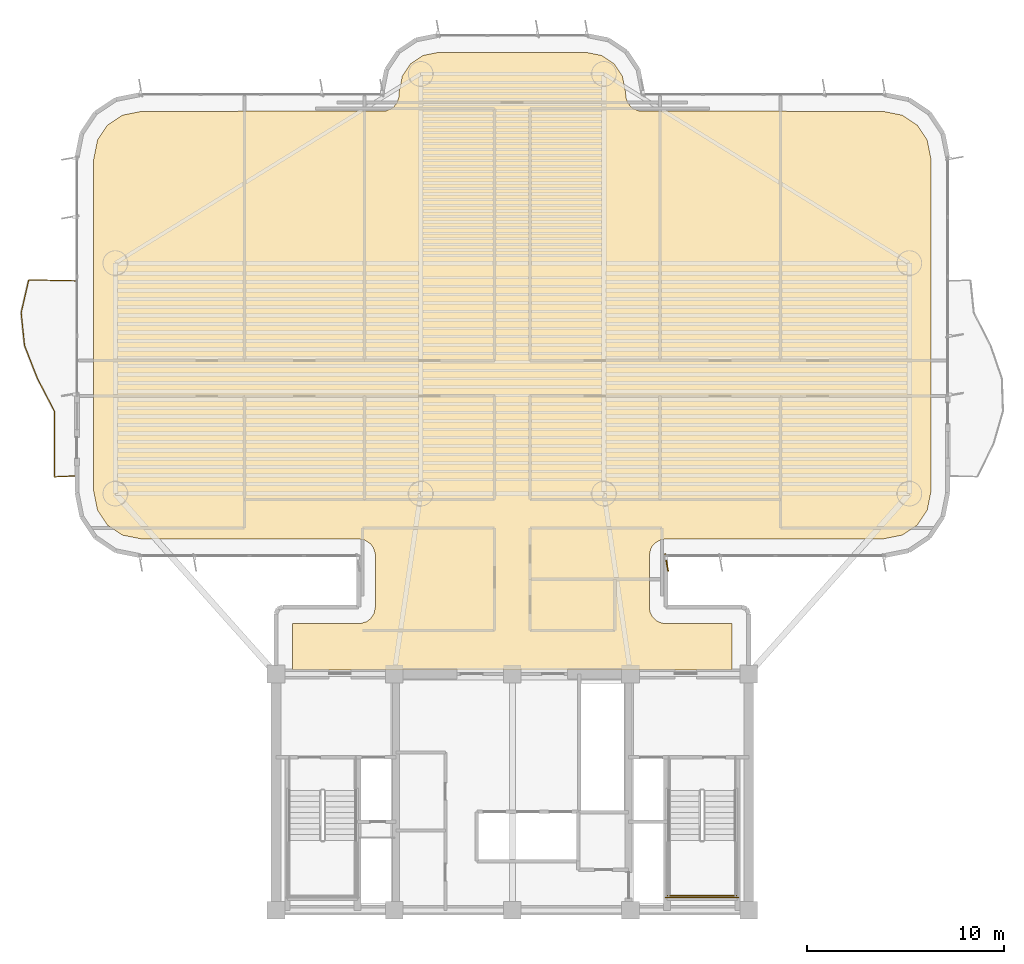
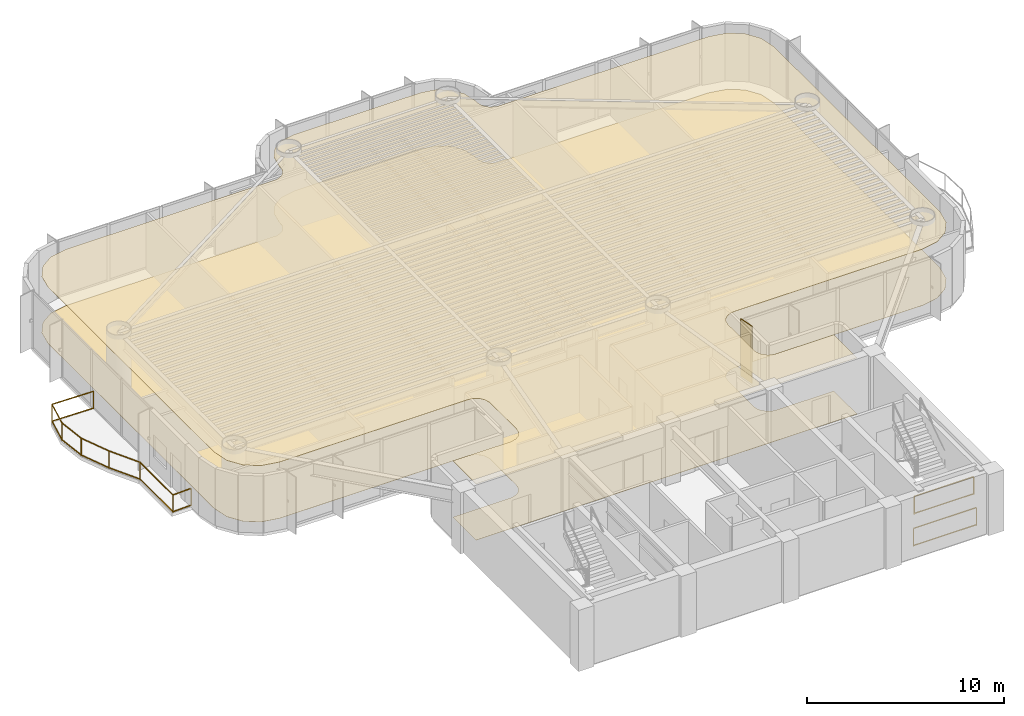
# One storey, part 14 of 16: 3 railings, 2 coverings, 1 shading device.
"""IFC4 building model written with IfcOpenShell, lengths in metres."""

from ifc_helpers import new_model, si_unit, direction, frame, origin, origin_2d, place, context, subcontext, project, spatial, polyline, rectangle, outline, extrude, source, transform, mapped, material, layer, layer_set, material_profile, profile_set, type_object, element, save


model = new_model("IFC4")

# Units and contexts
model_context = context("Model", 3, precision=1e-05, world=origin(), true_north=direction((0.0, 1.0)))
body_context = subcontext(model_context, "Body", "Model", "MODEL_VIEW")
ifc_project = project(units=[si_unit("LENGTHUNIT", "METRE"), si_unit("AREAUNIT", "SQUARE_METRE"), si_unit("VOLUMEUNIT", "CUBIC_METRE"), si_unit("PLANEANGLEUNIT", "RADIAN"), si_unit("MASSUNIT", "GRAM", prefix="KILO")], contexts=[model_context])

# Site, building, storey
site_placement = place(None, origin())
site = spatial("IfcSite", under=ifc_project, at=site_placement, CompositionType="ELEMENT")
building_placement = place(site_placement, origin())
building = spatial("IfcBuilding", under=site, at=building_placement, Name="Brelvock Crest Care Tower", CompositionType="ELEMENT")
storey_placement = place(building_placement, frame((0.0, 0.0, 112.5)))
storey = spatial("IfcBuildingStorey", under=building, at=storey_placement, Name="L28", CompositionType="ELEMENT", Elevation=112.5)

# Coverings
ifc_material_1 = material(Name="Mineral Fibre Acoustic Ceiling Tile", Category="gypsum")
ifc_layer_1 = layer(ifc_material_1, 0.02490234375, Name="COV-CLG1")
ifc_layer_set_1 = layer_set([ifc_layer_1], Name="Mineral Fibre Acoustic Ceiling Tile")
covering_type_1 = type_object("IfcCoveringType", Name="COV-CLG1", PredefinedType="CEILING", material=ifc_layer_set_1)
covering_1_placement = place(storey_placement, frame((0.0, 0.0, 3.47509765625)))
element("IfcCovering", 1, at=covering_1_placement, inside=storey, type_object=covering_type_1, Name="L28 Acoustic Suspended Ceiling 1", PredefinedType="CEILING", context=body_context, shape_type="SweptSolid", body=[
    extrude(outline(polyline([(24.85009765625, 18.199951171875), (47.14990234375, 18.199951171875), (47.14990234375, 20.550048828125), (43.716796875, 20.55419921875), (43.55322265625, 20.586669921875), (43.327880859375, 20.693359375), (43.09326171875, 20.927734375), (42.986572265625, 21.1533203125), (42.949951171875, 21.39990234375), (42.949951171875, 24.0), (43.0146484375, 24.3251953125), (43.09326171875, 24.47216796875), (43.2607421875, 24.656982421875), (43.55322265625, 24.8134765625), (43.800048828125, 24.85009765625), (54.81640625, 24.85009765625), (55.79296875, 25.044189453125), (56.5498046875, 25.550048828125), (57.0556640625, 26.30712890625), (57.25, 27.28369140625), (57.25, 44.1162109375), (57.0556640625, 45.093017578125), (56.5498046875, 45.849853515625), (55.79296875, 46.355712890625), (54.81640625, 46.550048828125), (42.43408203125, 46.56640625), (42.127685546875, 46.693359375), (41.9990234375, 46.799072265625), (41.850341796875, 46.999267578125), (41.766357421875, 47.234130859375), (41.75, 47.516357421875), (41.586181640625, 48.33984375), (41.1669921875, 48.967041015625), (40.539794921875, 49.38623046875), (39.71630859375, 49.550048828125), (32.28369140625, 49.550048828125), (31.460205078125, 49.38623046875), (30.8330078125, 48.967041015625), (30.413818359375, 48.33984375), (30.25, 47.516357421875), (30.233642578125, 47.234130859375), (30.149658203125, 46.999267578125), (30.0009765625, 46.799072265625), (29.872314453125, 46.693359375), (29.56591796875, 46.56640625), (17.18359375, 46.550048828125), (16.20703125, 46.355712890625), (15.4501953125, 45.849853515625), (14.9443359375, 45.093017578125), (14.75, 44.1162109375), (14.75, 27.28369140625), (14.9443359375, 26.30712890625), (15.4501953125, 25.550048828125), (16.20703125, 25.044189453125), (17.18359375, 24.85009765625), (28.199951171875, 24.85009765625), (28.525390625, 24.785400390625), (28.801025390625, 24.60107421875), (28.94970703125, 24.400634765625), (29.0458984375, 24.083251953125), (29.050048828125, 21.39990234375), (28.9853515625, 21.07470703125), (28.801025390625, 20.799072265625), (28.6005859375, 20.650390625), (28.283203125, 20.55419921875), (24.85009765625, 20.550048828125), (24.85009765625, 18.199951171875)])), origin(), (0.0, 0.0, 1.0), 0.02490234375),
])
ifc_material_2 = material(Name="Slip-Resistant Acoustic Vinyl Flooring", Category="finish")
ifc_layer_2 = layer(ifc_material_2, 0.014892578125, Name="COV-FLR1")
ifc_layer_set_2 = layer_set([ifc_layer_2], Name="Slip-Resistant Acoustic Vinyl Flooring")
covering_type_2 = type_object("IfcCoveringType", Name="COV-FLR1", PredefinedType="FLOORING", material=ifc_layer_set_2)
covering_2_placement = place(storey_placement, origin())
element("IfcCovering", 2, at=covering_2_placement, inside=storey, type_object=covering_type_2, Name="L28 Slip-Resistant Acoustic Flooring 1", PredefinedType="FLOORING", context=body_context, shape_type="SweptSolid", body=[
    extrude(outline(polyline([(24.85009765625, 18.199951171875), (47.14990234375, 18.199951171875), (47.14990234375, 20.550048828125), (43.716796875, 20.55419921875), (43.55322265625, 20.586669921875), (43.327880859375, 20.693359375), (43.09326171875, 20.927734375), (42.986572265625, 21.1533203125), (42.949951171875, 21.39990234375), (42.949951171875, 24.0), (43.0146484375, 24.3251953125), (43.09326171875, 24.47216796875), (43.2607421875, 24.656982421875), (43.55322265625, 24.8134765625), (43.800048828125, 24.85009765625), (54.81640625, 24.85009765625), (55.79296875, 25.044189453125), (56.5498046875, 25.550048828125), (57.0556640625, 26.30712890625), (57.25, 27.28369140625), (57.25, 44.1162109375), (57.0556640625, 45.093017578125), (56.5498046875, 45.849853515625), (55.79296875, 46.355712890625), (54.81640625, 46.550048828125), (42.43408203125, 46.56640625), (42.127685546875, 46.693359375), (41.9990234375, 46.799072265625), (41.850341796875, 46.999267578125), (41.766357421875, 47.234130859375), (41.75, 47.516357421875), (41.586181640625, 48.33984375), (41.1669921875, 48.967041015625), (40.539794921875, 49.38623046875), (39.71630859375, 49.550048828125), (32.28369140625, 49.550048828125), (31.460205078125, 49.38623046875), (30.8330078125, 48.967041015625), (30.413818359375, 48.33984375), (30.25, 47.516357421875), (30.233642578125, 47.234130859375), (30.149658203125, 46.999267578125), (30.0009765625, 46.799072265625), (29.872314453125, 46.693359375), (29.56591796875, 46.56640625), (17.18359375, 46.550048828125), (16.20703125, 46.355712890625), (15.4501953125, 45.849853515625), (14.9443359375, 45.093017578125), (14.75, 44.1162109375), (14.75, 27.28369140625), (14.9443359375, 26.30712890625), (15.4501953125, 25.550048828125), (16.20703125, 25.044189453125), (17.18359375, 24.85009765625), (28.199951171875, 24.85009765625), (28.525390625, 24.785400390625), (28.801025390625, 24.60107421875), (28.94970703125, 24.400634765625), (29.0458984375, 24.083251953125), (29.050048828125, 21.39990234375), (28.9853515625, 21.07470703125), (28.801025390625, 20.799072265625), (28.6005859375, 20.650390625), (28.283203125, 20.55419921875), (24.85009765625, 20.550048828125), (24.85009765625, 18.199951171875)])), origin(), (0.0, 0.0, 1.0), 0.014892578125),
])

# Railings
ifc_material_3 = material(Name="Dark Glass Double Glazed Low-E", Category="glass")
ifc_layer_3 = layer(ifc_material_3, 0.06005859375, Name="RL-BAL1")
ifc_layer_set_3 = layer_set([ifc_layer_3], Name="Dark Glass Double Glazed Low-E")
railing_type_1 = type_object("IfcRailingType", Name="RL-BAL1", PredefinedType="BALUSTRADE", material=ifc_layer_set_3)
railing_1_placement = place(storey_placement, frame((13.860107421875, 28.050048828125, 0.00390625)))
element("IfcRailing", 3, at=railing_1_placement, inside=storey, type_object=railing_type_1, Name="L28 Safety Balustrade WB-W", PredefinedType="BALUSTRADE", context=body_context, shape_type="SweptSolid", body=[
    extrude(rectangle(XDim=0.048095703125, YDim=0.048095703125, at=origin_2d()), frame((-0.001953125, 0.0, 1.09619140625), z_axis=(-0.998966710972, -0.045447886318, 0.0), x_axis=(0.045447886318, -0.998966710972, 0.0)), (0.0, 0.0, 1.0), 1.09716796875),
    extrude(rectangle(XDim=0.048095703125, YDim=0.048095703125, at=origin_2d()), frame((-0.001953125, 0.0, 0.054931640625), z_axis=(-0.998966710972, -0.045447886318, 0.0), x_axis=(0.045447886318, -0.998966710972, 0.0)), (0.0, 0.0, 1.0), 1.09716796875),
    extrude(rectangle(XDim=0.048095703125, YDim=0.048095703125, at=origin_2d()), frame((-1.10009765625, -0.048095703125, 1.09619140625), z_axis=(-0.00014648795, 0.999999989271, 0.0), x_axis=(-0.999999989271, -0.00014648795, 0.0)), (0.0, 0.0, 1.0), 3.329345703125),
    extrude(rectangle(XDim=0.048095703125, YDim=0.048095703125, at=origin_2d()), frame((-1.10009765625, -0.048095703125, 0.054931640625), z_axis=(-0.00014648795, 0.999999989271, 0.0), x_axis=(-0.999999989271, -0.00014648795, 0.0)), (0.0, 0.0, 1.0), 3.329345703125),
    extrude(rectangle(XDim=0.048095703125, YDim=0.048095703125, at=origin_2d()), frame((-1.1015625, 3.284912109375, 1.09619140625), z_axis=(-0.46114401417, 0.887325305733, 0.0), x_axis=(-0.887325305733, -0.46114401417, 0.0)), (0.0, 0.0, 1.0), 1.87451171875),
    extrude(rectangle(XDim=0.048095703125, YDim=0.048095703125, at=origin_2d()), frame((-1.1015625, 3.284912109375, 0.054931640625), z_axis=(-0.46114401417, 0.887325305733, 0.0), x_axis=(-0.887325305733, -0.46114401417, 0.0)), (0.0, 0.0, 1.0), 1.87451171875),
    extrude(rectangle(XDim=0.048095703125, YDim=0.048095703125, at=origin_2d()), frame((-1.967529296875, 4.951904296875, 1.09619140625), z_axis=(-0.364466206994, 0.93121661495, 0.0), x_axis=(-0.93121661495, -0.364466206994, 0.0)), (0.0, 0.0, 1.0), 1.785888671875),
    extrude(rectangle(XDim=0.048095703125, YDim=0.048095703125, at=origin_2d()), frame((-1.967529296875, 4.951904296875, 0.054931640625), z_axis=(-0.364466206994, 0.93121661495, 0.0), x_axis=(-0.93121661495, -0.364466206994, 0.0)), (0.0, 0.0, 1.0), 1.785888671875),
    extrude(rectangle(XDim=0.048095703125, YDim=0.048095703125, at=origin_2d()), frame((-2.619384765625, 6.61865234375, 1.09619140625), z_axis=(-0.101148651987, 0.994871323439, 0.0), x_axis=(-0.994871323439, -0.101148651987, 0.0)), (0.0, 0.0, 1.0), 1.671142578125),
    extrude(rectangle(XDim=0.048095703125, YDim=0.048095703125, at=origin_2d()), frame((-2.619384765625, 6.61865234375, 0.054931640625), z_axis=(-0.101148651987, 0.994871323439, 0.0), x_axis=(-0.994871323439, -0.101148651987, 0.0)), (0.0, 0.0, 1.0), 1.671142578125),
    extrude(rectangle(XDim=0.048095703125, YDim=0.048095703125, at=origin_2d()), frame((-2.7880859375, 8.28515625, 1.09619140625), z_axis=(0.22439035679, 0.974499342114, 0.0), x_axis=(-0.974499342114, 0.22439035679, 0.0)), (0.0, 0.0, 1.0), 1.706298828125),
    extrude(rectangle(XDim=0.048095703125, YDim=0.048095703125, at=origin_2d()), frame((-2.7880859375, 8.28515625, 0.054931640625), z_axis=(0.22439035679, 0.974499342114, 0.0), x_axis=(-0.974499342114, 0.22439035679, 0.0)), (0.0, 0.0, 1.0), 1.706298828125),
    extrude(rectangle(XDim=0.048095703125, YDim=0.048095703125, at=origin_2d()), frame((-2.40283203125, 9.949951171875, 1.09619140625), z_axis=(0.999783496855, -0.020807676838, 0.0), x_axis=(0.020807676838, 0.999783496855, 0.0)), (0.0, 0.0, 1.0), 2.4013671875),
    extrude(rectangle(XDim=0.048095703125, YDim=0.048095703125, at=origin_2d()), frame((-2.40283203125, 9.949951171875, 0.054931640625), z_axis=(0.999783496855, -0.020807676838, 0.0), x_axis=(0.020807676838, 0.999783496855, 0.0)), (0.0, 0.0, 1.0), 2.4013671875),
    extrude(rectangle(XDim=0.0419921875, YDim=0.0419921875, at=origin_2d()), origin(), (0.0, 0.0, 1.0), 1.070068359375),
    extrude(rectangle(XDim=0.0419921875, YDim=0.0419921875, at=origin_2d()), frame((-1.10009765625, -0.050048828125, 0.0)), (0.0, 0.0, 1.0), 1.070068359375),
    extrude(rectangle(XDim=0.0419921875, YDim=0.0419921875, at=origin_2d()), frame((-1.1005859375, 3.283203125, 0.0)), (0.0, 0.0, 1.0), 1.070068359375),
    extrude(rectangle(XDim=0.0419921875, YDim=0.0419921875, at=origin_2d()), frame((-1.966796875, 4.949951171875, 0.0)), (0.0, 0.0, 1.0), 1.070068359375),
    extrude(rectangle(XDim=0.0419921875, YDim=0.0419921875, at=origin_2d()), frame((-2.619140625, 6.61669921875, 0.0)), (0.0, 0.0, 1.0), 1.070068359375),
    extrude(rectangle(XDim=0.0419921875, YDim=0.0419921875, at=origin_2d()), frame((-2.78857421875, 8.283203125, 0.0)), (0.0, 0.0, 1.0), 1.070068359375),
    extrude(rectangle(XDim=0.0419921875, YDim=0.0419921875, at=origin_2d()), frame((-2.40478515625, 9.949951171875, 0.0)), (0.0, 0.0, 1.0), 1.070068359375),
    extrude(rectangle(XDim=0.0419921875, YDim=0.0419921875, at=origin_2d()), frame((0.0, 9.89990234375, 0.0)), (0.0, 0.0, 1.0), 1.070068359375),
])
ifc_material_4 = material(Name="Steel Grade 350", Category="steel")
ifc_layer_4 = layer(ifc_material_4, 0.050048828125, Name="RL-STG1")
ifc_layer_set_4 = layer_set([ifc_layer_4], Name="Steel Grade 350")
railing_type_2 = type_object("IfcRailingType", Name="RL-STG1", PredefinedType="GUARDRAIL", material=ifc_layer_set_4)
railing_2_placement = place(storey_placement, frame((43.889892578125, 6.75, 1.889892578125)))
element("IfcRailing", 4, at=railing_2_placement, inside=storey, type_object=railing_type_2, Name="L28 ST-2 stair guard 5", PredefinedType="GUARDRAIL", context=body_context, shape_type="SweptSolid", body=[
    extrude(rectangle(XDim=0.048095703125, YDim=0.048095703125, at=origin_2d()), frame((0.001953125, 0.0, 1.11572265625), z_axis=(1.0, 0.0, 0.0), x_axis=(0.0, 1.0, 0.0)), (0.0, 0.0, 1.0), 3.476318359375),
    extrude(rectangle(XDim=0.048095703125, YDim=0.048095703125, at=origin_2d()), frame((0.001953125, 0.0, 0.054931640625), z_axis=(1.0, 0.0, 0.0), x_axis=(0.0, 1.0, 0.0)), (0.0, 0.0, 1.0), 3.476318359375),
    extrude(rectangle(XDim=0.0419921875, YDim=0.0419921875, at=origin_2d()), origin(), (0.0, 0.0, 1.0), 1.08984375),
    extrude(rectangle(XDim=0.0419921875, YDim=0.0419921875, at=origin_2d()), frame((3.480224609375, 0.0, 0.0)), (0.0, 0.0, 1.0), 1.08984375),
])
railing_3_placement = place(storey_placement, frame((43.7900390625, 6.64990234375, 0.0)))
element("IfcRailing", 5, at=railing_3_placement, inside=storey, type_object=railing_type_2, Name="L28 ST-2 stair guard 12", PredefinedType="GUARDRAIL", context=body_context, shape_type="SweptSolid", body=[
    extrude(rectangle(XDim=0.048095703125, YDim=0.048095703125, at=origin_2d()), frame((0.001953125, 0.0, 1.11572265625), z_axis=(1.0, 0.0, 0.0), x_axis=(0.0, 1.0, 0.0)), (0.0, 0.0, 1.0), 3.676025390625),
    extrude(rectangle(XDim=0.048095703125, YDim=0.048095703125, at=origin_2d()), frame((0.001953125, 0.0, 0.054931640625), z_axis=(1.0, 0.0, 0.0), x_axis=(0.0, 1.0, 0.0)), (0.0, 0.0, 1.0), 3.676025390625),
    extrude(rectangle(XDim=0.0419921875, YDim=0.0419921875, at=origin_2d()), origin(), (0.0, 0.0, 1.0), 1.08984375),
    extrude(rectangle(XDim=0.0419921875, YDim=0.0419921875, at=origin_2d()), frame((3.679931640625, 0.0, 0.0)), (0.0, 0.0, 1.0), 1.08984375),
])

# Shading device
ifc_material_5 = material(Name="Aluminium 6063-T6", Category="aluminium")
ifc_material_profile = material_profile(ifc_material_5, rectangle(XDim=0.054931640625, YDim=0.89990234375, at=origin_2d()), Name="FIN55x900")
ifc_profile_set = profile_set([ifc_material_profile], Name="Aluminium 6063-T6")
shading_device_type = type_object("IfcShadingDeviceType", Name="SHD-FIN1", PredefinedType="USERDEFINED", material=ifc_profile_set)
shared_shape = source(origin(), body_context, "Body", "SweptSolid", [
    extrude(rectangle(XDim=0.054931640625, YDim=0.89990234375, at=origin_2d()), origin(), (0.0, 0.0, 1.0), 3.530029296875),
])
shading_device_placement = place(storey_placement, frame((43.830078125, 23.659912109375, 0.0), z_axis=(0.0, 0.0, 1.0), x_axis=(-0.984807753012, -0.173648177667, 0.0)))
element("IfcShadingDevice", 6, at=shading_device_placement, inside=storey, type_object=shading_device_type, Name="L28 Vertical Sunshade Fin E44-05", ObjectType="FIN", PredefinedType="USERDEFINED", context=body_context, shape_type="MappedRepresentation", body=[
    mapped(shared_shape, transform((0.0, 0.0, 0.0), x_axis=(1.0, 0.0, 0.0), y_axis=(0.0, 1.0, 0.0), z_axis=(0.0, 0.0, 1.0), scale=1.0)),
])

save(model, "model.ifc")
